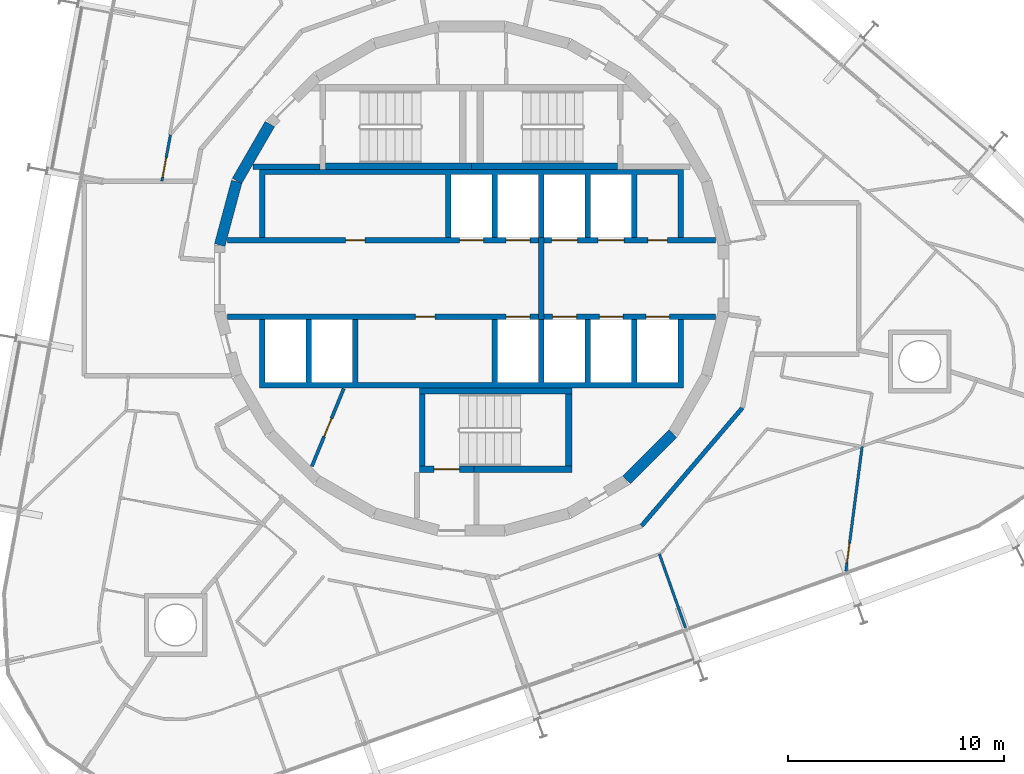
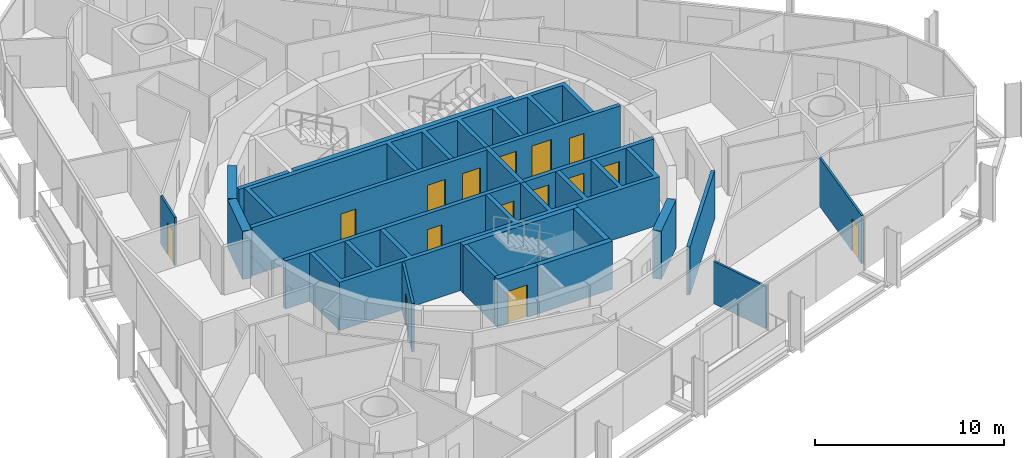
# One storey, part 12 of 17: 23 walls, 15 doors, 15 openings.
"""IFC4 building model written with IfcOpenShell, lengths in metres."""

from ifc_helpers import new_model, si_unit, direction, frame, frame_2d, origin, place, context, subcontext, project, spatial, polyline, rectangle, outline, extrude, material, layer, layer_set, type_object, element, fill, save


model = new_model("IFC4")

# Units and contexts
model_context = context("Model", 3, precision=1e-05, world=origin(), true_north=direction((0.0, 1.0)))
body_context = subcontext(model_context, "Body", "Model", "MODEL_VIEW")
ifc_project = project(units=[si_unit("LENGTHUNIT", "METRE"), si_unit("AREAUNIT", "SQUARE_METRE"), si_unit("VOLUMEUNIT", "CUBIC_METRE"), si_unit("PLANEANGLEUNIT", "RADIAN"), si_unit("MASSUNIT", "GRAM", prefix="KILO")], contexts=[model_context])

# Site, building, storey
site_placement = place(None, origin())
site = spatial("IfcSite", under=ifc_project, at=site_placement, CompositionType="ELEMENT")
building_placement = place(site_placement, origin())
building = spatial("IfcBuilding", under=site, at=building_placement, Name="Spindle Arch Residences", CompositionType="ELEMENT")
storey_placement = place(building_placement, frame((0.0, 0.0, 176.199951171875)))
storey = spatial("IfcBuildingStorey", under=building, at=storey_placement, Name="L44", CompositionType="ELEMENT", Elevation=176.199951171875)

# Walls
ifc_material_1 = material(Name="Concrete C50/60", Category="concrete")
ifc_layer_1 = layer(ifc_material_1, 0.5)
ifc_layer_set_1 = layer_set([ifc_layer_1], Name="Core outline wall 500")
wall_type_1 = type_object("IfcWallType", Name="Core outline wall 500", PredefinedType="SHEAR", material=ifc_layer_set_1)
wall_1_placement = place(storey_placement, frame((7.163818359375, -9.30810546875, 0.0), z_axis=(0.0, 0.0, 1.0), x_axis=(0.707106781187, 0.707106781187, 0.0)))
element("IfcWall", 1, at=wall_1_placement, inside=storey, type_object=wall_type_1, Name="Core outline wall 3", PredefinedType="SHEAR", context=body_context, shape_type="SweptSolid", body=[
    extrude(rectangle(XDim=3.032470703125, YDim=0.5, at=frame_2d((1.51611328125, 0.0))), origin(), (0.0, 0.0, 1.0), 3.1201171875),
])
for number, where, z_axis, x_axis, name in (
    (2, (-9.32861328125, 7.13671875, 0.0), (0.0, 0.0, 1.0), (-0.500087131594, -0.865975092491, 0.0), "Core outline wall 16"),
    (3, (-10.858154296875, 4.479248046875, 0.0), (0.0, 0.0, 1.0), (-0.258734743916, -0.965948410781, 0.0), "Core outline wall 17"),
):
    element("IfcWall", number, at=place(storey_placement, frame(where, z_axis=z_axis, x_axis=x_axis)), inside=storey, type_object=wall_type_1, Name=name, PredefinedType="SHEAR", context=body_context, shape_type="SweptSolid", body=[
        extrude(rectangle(XDim=3.03271484375, YDim=0.5, at=frame_2d((1.516357421875, 0.0))), origin(), (0.0, 0.0, 1.0), 3.1201171875),
    ])
ifc_material_2 = material(Name="Calcium silicate block, plastered")
ifc_layer_2 = layer(ifc_material_2, 0.199951171875)
ifc_layer_set_2 = layer_set([ifc_layer_2], Name="Corridor wall 200")
wall_type_2 = type_object("IfcWallType", Name="Corridor wall 200", PredefinedType="STANDARD", material=ifc_layer_set_2)
wall_2_placement = place(storey_placement, frame((7.857666015625, -11.432861328125, 0.0), z_axis=(0.0, 0.0, 1.0), x_axis=(0.649440801937, 0.760412154545, 0.0)))
element("IfcWall", 4, at=wall_2_placement, inside=storey, type_object=wall_type_2, Name="Corridor wall R4C1-W019", PredefinedType="STANDARD", context=body_context, shape_type="SweptSolid", body=[
    extrude(rectangle(XDim=7.180908203125, YDim=0.199951171875, at=frame_2d((3.59033203125, 0.0))), origin(), (0.0, 0.0, 1.0), 3.1201171875),
])

# Wall, openings, doors
ifc_material_3 = material(Name="Concrete C40/50", Category="concrete")
ifc_layer_3 = layer(ifc_material_3, 0.25)
ifc_layer_set_3 = layer_set([ifc_layer_3], Name="Fire-lift lobby wall 250")
wall_type_3 = type_object("IfcWallType", Name="Fire-lift lobby wall 250", PredefinedType="SHEAR", material=ifc_layer_set_3)
wall_3_placement = place(storey_placement, frame((3.35009765625, 1.77490234375, 0.0), z_axis=(0.0, 0.0, 1.0), x_axis=(1.0, 0.0, 0.0)))
wall_3 = element("IfcWall", 5, at=wall_3_placement, inside=storey, type_object=wall_type_3, Name="Lift shaft front wall NE", PredefinedType="SHEAR", context=body_context, shape_type="SweptSolid", body=[
    extrude(rectangle(XDim=7.929931640625, YDim=0.25, at=frame_2d((3.96484375, 0.0))), origin(), (0.0, 0.0, 1.0), 3.1201171875),
])
opening_1_placement = place(wall_3_placement, frame((0.35009765625, 0.0, 0.0)))
opening_1 = element("IfcOpeningElement", 6, at=opening_1_placement, cuts=wall_3, Name="Opening R4C1-SLD01", PredefinedType="OPENING", context=body_context, shape_type="SweptSolid", body=[
    extrude(rectangle(XDim=1.199951171875, YDim=2.39990234375, at=frame_2d((0.60009765625, 1.199951171875))), frame((0.0, 0.135009765625, 0.0), z_axis=(0.0, -1.0, 0.0), x_axis=(1.0, 0.0, 0.0)), (0.0, 0.0, 1.0), 0.27001953125),
])
opening_2_placement = place(wall_3_placement, frame((2.5, 0.0, 0.0)))
opening_2 = element("IfcOpeningElement", 7, at=opening_2_placement, cuts=wall_3, Name="Opening R4C1-SLD02", PredefinedType="OPENING", context=body_context, shape_type="SweptSolid", body=[
    extrude(rectangle(XDim=1.199951171875, YDim=2.39990234375, at=frame_2d((0.60009765625, 1.199951171875))), frame((0.0, 0.135009765625, 0.0), z_axis=(0.0, -1.0, 0.0), x_axis=(1.0, 0.0, 0.0)), (0.0, 0.0, 1.0), 0.27001953125),
])
opening_3_placement = place(wall_3_placement, frame((4.800048828125, 0.0, 0.0)))
opening_3 = element("IfcOpeningElement", 8, at=opening_3_placement, cuts=wall_3, Name="Opening R4C1-WD02", PredefinedType="OPENING", context=body_context, shape_type="SweptSolid", body=[
    extrude(rectangle(XDim=0.89990234375, YDim=2.10009765625, at=frame_2d((0.449951171875, 1.050048828125))), frame((0.0, 0.135009765625, 0.0), z_axis=(0.0, -1.0, 0.0), x_axis=(1.0, 0.0, 0.0)), (0.0, 0.0, 1.0), 0.27001953125),
])
ifc_material_4 = material(Name="Steel, fire-resisting landing door", Category="steel")
door_type_1 = type_object("IfcDoorType", Name="Service lift landing door 1200x2400", OperationType="DOUBLE_DOOR_SLIDING", PredefinedType="DOOR", material=ifc_material_4)
door_1_placement = place(opening_1_placement, origin())
door_1 = element("IfcDoor", 9, at=door_1_placement, inside=storey, type_object=door_type_1, Name="Service lift landing door R4C1-SLD01", OperationType="DOUBLE_DOOR_SLIDING", OverallHeight=2.39990234375, OverallWidth=1.199951171875, PredefinedType="DOOR", context=body_context, shape_type="SweptSolid", body=[
    extrude(rectangle(XDim=1.199951171875, YDim=2.39990234375, at=frame_2d((0.60009765625, 1.199951171875))), frame((0.0, 0.02490234375, 0.0), z_axis=(0.0, -1.0, 0.0), x_axis=(1.0, 0.0, 0.0)), (0.0, 0.0, 1.0), 0.050048828125),
])
fill(opening_1, door_1)
door_2_placement = place(opening_2_placement, origin())
door_2 = element("IfcDoor", 10, at=door_2_placement, inside=storey, type_object=door_type_1, Name="Service lift landing door R4C1-SLD02", OperationType="DOUBLE_DOOR_SLIDING", OverallHeight=2.39990234375, OverallWidth=1.199951171875, PredefinedType="DOOR", context=body_context, shape_type="SweptSolid", body=[
    extrude(rectangle(XDim=1.199951171875, YDim=2.39990234375, at=frame_2d((0.60009765625, 1.199951171875))), frame((0.0, 0.02490234375, 0.0), z_axis=(0.0, -1.0, 0.0), x_axis=(1.0, 0.0, 0.0)), (0.0, 0.0, 1.0), 0.050048828125),
])
fill(opening_2, door_2)
ifc_material_5 = material(Name="Steel, fire-resisting door", Category="steel")
door_type_2 = type_object("IfcDoorType", Name="Service room door 900x2100", OperationType="SINGLE_SWING_LEFT", PredefinedType="DOOR", material=ifc_material_5)
door_3_placement = place(opening_3_placement, origin())
door_3 = element("IfcDoor", 11, at=door_3_placement, inside=storey, type_object=door_type_2, Name="Service room door R4C1-WD02", OperationType="SINGLE_SWING_RIGHT", OverallHeight=2.10009765625, OverallWidth=0.89990234375, PredefinedType="DOOR", context=body_context, shape_type="SweptSolid", body=[
    extrude(rectangle(XDim=0.89990234375, YDim=2.10009765625, at=frame_2d((0.449951171875, 1.050048828125))), frame((0.0, 0.02490234375, 0.0), z_axis=(0.0, -1.0, 0.0), x_axis=(1.0, 0.0, 0.0)), (0.0, 0.0, 1.0), 0.050048828125),
])
fill(opening_3, door_3)

# Wall
wall_4_placement = place(storey_placement, frame((3.22509765625, -1.89990234375, 0.0), z_axis=(0.0, 0.0, 1.0), x_axis=(0.0, 1.0, 0.0)))
element("IfcWall", 12, at=wall_4_placement, inside=storey, type_object=wall_type_3, Name="Fire-fighting lobby partition", PredefinedType="SHEAR", context=body_context, shape_type="SweptSolid", body=[
    extrude(rectangle(XDim=3.7998046875, YDim=0.25, at=frame_2d((1.89990234375, 0.0))), origin(), (0.0, 0.0, 1.0), 3.1201171875),
])

# Wall, openings, doors
ifc_material_6 = material(Name="Concrete C50/60", Category="concrete")
ifc_layer_4 = layer(ifc_material_6, 0.25)
ifc_layer_set_4 = layer_set([ifc_layer_4], Name="Fire-lift shaft wall 250")
wall_type_4 = type_object("IfcWallType", Name="Fire-lift shaft wall 250", PredefinedType="SHEAR", material=ifc_layer_set_4)
wall_5_placement = place(storey_placement, frame((3.35009765625, -1.77490234375, 0.0), z_axis=(0.0, 0.0, 1.0), x_axis=(1.0, 0.0, 0.0)))
wall_5 = element("IfcWall", 13, at=wall_5_placement, inside=storey, type_object=wall_type_4, Name="Lift shaft front wall SE", PredefinedType="SHEAR", context=body_context, shape_type="SweptSolid", body=[
    extrude(rectangle(XDim=7.929931640625, YDim=0.25, at=frame_2d((3.96484375, 0.0))), origin(), (0.0, 0.0, 1.0), 3.1201171875),
])
opening_4_placement = place(wall_5_placement, frame((0.39990234375, 0.0, 0.0)))
opening_4 = element("IfcOpeningElement", 14, at=opening_4_placement, cuts=wall_5, Name="Opening R4C1-FLD01", PredefinedType="OPENING", context=body_context, shape_type="SweptSolid", body=[
    extrude(rectangle(XDim=1.10009765625, YDim=2.39990234375, at=frame_2d((0.550048828125, 1.199951171875))), frame((0.0, 0.135009765625, 0.0), z_axis=(0.0, -1.0, 0.0), x_axis=(1.0, 0.0, 0.0)), (0.0, 0.0, 1.0), 0.27001953125),
])
opening_5_placement = place(wall_5_placement, frame((2.550048828125, 0.0, 0.0)))
opening_5 = element("IfcOpeningElement", 15, at=opening_5_placement, cuts=wall_5, Name="Opening R4C1-FLD02", PredefinedType="OPENING", context=body_context, shape_type="SweptSolid", body=[
    extrude(rectangle(XDim=1.10009765625, YDim=2.39990234375, at=frame_2d((0.550048828125, 1.199951171875))), frame((0.0, 0.135009765625, 0.0), z_axis=(0.0, -1.0, 0.0), x_axis=(1.0, 0.0, 0.0)), (0.0, 0.0, 1.0), 0.27001953125),
])
opening_6_placement = place(wall_5_placement, frame((4.699951171875, 0.0, 0.0)))
opening_6 = element("IfcOpeningElement", 16, at=opening_6_placement, cuts=wall_5, Name="Opening R4C1-FLD03", PredefinedType="OPENING", context=body_context, shape_type="SweptSolid", body=[
    extrude(rectangle(XDim=1.10009765625, YDim=2.39990234375, at=frame_2d((0.550048828125, 1.199951171875))), frame((0.0, 0.135009765625, 0.0), z_axis=(0.0, -1.0, 0.0), x_axis=(1.0, 0.0, 0.0)), (0.0, 0.0, 1.0), 0.27001953125),
])
ifc_material_7 = material(Name="Steel, fire-resisting landing door", Category="steel")
door_type_3 = type_object("IfcDoorType", Name="Fire-fighting lift landing door 1100x2400", OperationType="DOUBLE_DOOR_SLIDING", PredefinedType="DOOR", material=ifc_material_7)
door_4_placement = place(opening_4_placement, origin())
door_4 = element("IfcDoor", 17, at=door_4_placement, inside=storey, type_object=door_type_3, Name="Fire-fighting lift landing door R4C1-FLD01", OperationType="DOUBLE_DOOR_SLIDING", OverallHeight=2.39990234375, OverallWidth=1.10009765625, PredefinedType="DOOR", context=body_context, shape_type="SweptSolid", body=[
    extrude(rectangle(XDim=1.10009765625, YDim=2.39990234375, at=frame_2d((0.550048828125, 1.199951171875))), frame((0.0, 0.02490234375, 0.0), z_axis=(0.0, -1.0, 0.0), x_axis=(1.0, 0.0, 0.0)), (0.0, 0.0, 1.0), 0.050048828125),
])
fill(opening_4, door_4)
door_5_placement = place(opening_5_placement, origin())
door_5 = element("IfcDoor", 18, at=door_5_placement, inside=storey, type_object=door_type_3, Name="Fire-fighting lift landing door R4C1-FLD02", OperationType="DOUBLE_DOOR_SLIDING", OverallHeight=2.39990234375, OverallWidth=1.10009765625, PredefinedType="DOOR", context=body_context, shape_type="SweptSolid", body=[
    extrude(rectangle(XDim=1.10009765625, YDim=2.39990234375, at=frame_2d((0.550048828125, 1.199951171875))), frame((0.0, 0.02490234375, 0.0), z_axis=(0.0, -1.0, 0.0), x_axis=(1.0, 0.0, 0.0)), (0.0, 0.0, 1.0), 0.050048828125),
])
fill(opening_5, door_5)
door_6_placement = place(opening_6_placement, origin())
door_6 = element("IfcDoor", 19, at=door_6_placement, inside=storey, type_object=door_type_3, Name="Fire-fighting lift landing door R4C1-FLD03", OperationType="DOUBLE_DOOR_SLIDING", OverallHeight=2.39990234375, OverallWidth=1.10009765625, PredefinedType="DOOR", context=body_context, shape_type="SweptSolid", body=[
    extrude(rectangle(XDim=1.10009765625, YDim=2.39990234375, at=frame_2d((0.550048828125, 1.199951171875))), frame((0.0, 0.02490234375, 0.0), z_axis=(0.0, -1.0, 0.0), x_axis=(1.0, 0.0, 0.0)), (0.0, 0.0, 1.0), 0.050048828125),
])
fill(opening_6, door_6)

# Wall, opening, door
ifc_material_8 = material(Name="Plasterboard on steel studs", Category="steel")
ifc_layer_5 = layer(ifc_material_8, 0.1201171875)
ifc_layer_set_5 = layer_set([ifc_layer_5], Name="Flat partition 120")
wall_type_5 = type_object("IfcWallType", Name="Flat partition 120", PredefinedType="PARTITIONING", material=ifc_layer_set_5)
wall_6_placement = place(storey_placement, frame((-13.9228515625, 6.640869140625, 0.0), z_axis=(0.0, 0.0, 1.0), x_axis=(-0.182209715759, -0.983259690765, 0.0)))
wall_6 = element("IfcWall", 20, at=wall_6_placement, inside=storey, type_object=wall_type_5, Name="Flat partition R4C1-W071", PredefinedType="PARTITIONING", context=body_context, shape_type="SweptSolid", body=[
    extrude(rectangle(XDim=2.17724609375, YDim=0.1201171875, at=frame_2d((1.088623046875, 0.0))), origin(), (0.0, 0.0, 1.0), 3.1201171875),
])
opening_7_placement = place(wall_6_placement, frame((1.08349609375, 0.0, 0.0)))
opening_7 = element("IfcOpeningElement", 21, at=opening_7_placement, cuts=wall_6, Name="Opening R4C1-ID12", PredefinedType="OPENING", context=body_context, shape_type="SweptSolid", body=[
    extrude(rectangle(XDim=0.89990234375, YDim=2.10009765625, at=frame_2d((0.449951171875, 1.050048828125))), frame((0.0, 0.070068359375, 0.0), z_axis=(0.0, -1.0, 0.0), x_axis=(1.0, 0.0, 0.0)), (0.0, 0.0, 1.0), 0.14013671875),
])
ifc_material_9 = material(Name="Timber door set", Category="wood")
door_type_4 = type_object("IfcDoorType", Name="Room door 900x2100", OperationType="NOTDEFINED", PredefinedType="DOOR", material=ifc_material_9)
door_7_placement = place(opening_7_placement, origin())
door_7 = element("IfcDoor", 22, at=door_7_placement, inside=storey, type_object=door_type_4, Name="Room door R4C1-ID12", OperationType="SINGLE_SWING_LEFT", OverallHeight=2.10009765625, OverallWidth=0.89990234375, PredefinedType="DOOR", context=body_context, shape_type="SweptSolid", body=[
    extrude(rectangle(XDim=0.89990234375, YDim=2.10009765625, at=frame_2d((0.449951171875, 1.050048828125))), frame((0.0, 0.02490234375, 0.0), z_axis=(0.0, -1.0, 0.0), x_axis=(1.0, 0.0, 0.0)), (0.0, 0.0, 1.0), 0.050048828125),
])
fill(opening_7, door_7)

wall_7_placement = place(storey_placement, frame((17.30029296875, -13.5341796875, 0.0), z_axis=(0.0, 0.0, 1.0), x_axis=(0.129290698847, 0.99160673414, 0.0)))
wall_7 = element("IfcWall", 23, at=wall_7_placement, inside=storey, type_object=wall_type_5, Name="Flat partition R4C1-W117", PredefinedType="PARTITIONING", context=body_context, shape_type="SweptSolid", body=[
    extrude(rectangle(XDim=5.812255859375, YDim=0.1201171875, at=frame_2d((2.90625, 0.0))), origin(), (0.0, 0.0, 1.0), 3.1201171875),
])
opening_8_placement = place(wall_7_placement, frame((0.39990234375, 0.0, 0.0)))
opening_8 = element("IfcOpeningElement", 24, at=opening_8_placement, cuts=wall_7, Name="Opening R4C1-ID30", PredefinedType="OPENING", context=body_context, shape_type="SweptSolid", body=[
    extrude(rectangle(XDim=0.89990234375, YDim=2.10009765625, at=frame_2d((0.449951171875, 1.050048828125))), frame((0.0, 0.070068359375, 0.0), z_axis=(0.0, -1.0, 0.0), x_axis=(1.0, 0.0, 0.0)), (0.0, 0.0, 1.0), 0.14013671875),
])
door_8_placement = place(opening_8_placement, origin())
door_8 = element("IfcDoor", 25, at=door_8_placement, inside=storey, type_object=door_type_4, Name="Room door R4C1-ID30", OperationType="SINGLE_SWING_RIGHT", OverallHeight=2.10009765625, OverallWidth=0.89990234375, PredefinedType="DOOR", context=body_context, shape_type="SweptSolid", body=[
    extrude(rectangle(XDim=0.89990234375, YDim=2.10009765625, at=frame_2d((0.449951171875, 1.050048828125))), frame((0.0, 0.02490234375, 0.0), z_axis=(0.0, -1.0, 0.0), x_axis=(1.0, 0.0, 0.0)), (0.0, 0.0, 1.0), 0.050048828125),
])
fill(opening_8, door_8)

# Wall
ifc_material_10 = material(Name="Plasterboard on steel studs", Category="steel")
ifc_layer_6 = layer(ifc_material_10, 0.1201171875)
ifc_layer_set_6 = layer_set([ifc_layer_6], Name="Flat partition 120 under beam 2730")
wall_type_6 = type_object("IfcWallType", Name="Flat partition 120 under beam 2730", PredefinedType="PARTITIONING", material=ifc_layer_set_6)
wall_8_placement = place(storey_placement, frame((9.89111328125, -16.157958984375, 0.0), z_axis=(0.0, 0.0, 1.0), x_axis=(-0.33385336213, 0.942625022262, 0.0)))
element("IfcWall", 26, at=wall_8_placement, inside=storey, type_object=wall_type_6, Name="Flat partition R4C1-W115", PredefinedType="PARTITIONING", context=body_context, shape_type="SweptSolid", body=[
    extrude(rectangle(XDim=3.633056640625, YDim=0.1201171875, at=frame_2d((1.81640625, 0.0))), origin(), (0.0, 0.0, 1.0), 2.72998046875),
])

# Wall, openings, doors
ifc_material_11 = material(Name="Concrete C50/60", Category="concrete")
ifc_layer_7 = layer(ifc_material_11, 0.25)
ifc_layer_set_7 = layer_set([ifc_layer_7], Name="Lift shaft wall 250")
wall_type_7 = type_object("IfcWallType", Name="Lift shaft wall 250", PredefinedType="SHEAR", material=ifc_layer_set_7)
wall_9_placement = place(storey_placement, frame((-11.280029296875, 1.77490234375, 0.0), z_axis=(0.0, 0.0, 1.0), x_axis=(1.0, 0.0, 0.0)))
wall_9 = element("IfcWall", 27, at=wall_9_placement, inside=storey, type_object=wall_type_7, Name="Lift shaft front wall NW", PredefinedType="SHEAR", context=body_context, shape_type="SweptSolid", body=[
    extrude(rectangle(XDim=14.380126953125, YDim=0.25, at=frame_2d((7.18994140625, 0.0))), origin(), (0.0, 0.0, 1.0), 3.1201171875),
])
opening_9_placement = place(wall_9_placement, frame((10.72998046875, 0.0, 0.0)))
opening_9 = element("IfcOpeningElement", 28, at=opening_9_placement, cuts=wall_9, Name="Opening R4C1-LD01", PredefinedType="OPENING", context=body_context, shape_type="SweptSolid", body=[
    extrude(rectangle(XDim=1.10009765625, YDim=2.10009765625, at=frame_2d((0.550048828125, 1.050048828125))), frame((0.0, 0.135009765625, 0.0), z_axis=(0.0, -1.0, 0.0), x_axis=(1.0, 0.0, 0.0)), (0.0, 0.0, 1.0), 0.27001953125),
])
opening_10_placement = place(wall_9_placement, frame((12.8798828125, 0.0, 0.0)))
opening_10 = element("IfcOpeningElement", 29, at=opening_10_placement, cuts=wall_9, Name="Opening R4C1-LD02", PredefinedType="OPENING", context=body_context, shape_type="SweptSolid", body=[
    extrude(rectangle(XDim=1.10009765625, YDim=2.10009765625, at=frame_2d((0.550048828125, 1.050048828125))), frame((0.0, 0.135009765625, 0.0), z_axis=(0.0, -1.0, 0.0), x_axis=(1.0, 0.0, 0.0)), (0.0, 0.0, 1.0), 0.27001953125),
])
opening_11_placement = place(wall_9_placement, frame((5.455078125, 0.0, 0.0)))
opening_11 = element("IfcOpeningElement", 30, at=opening_11_placement, cuts=wall_9, Name="Opening R4C1-WD01", PredefinedType="OPENING", context=body_context, shape_type="SweptSolid", body=[
    extrude(rectangle(XDim=0.89990234375, YDim=2.10009765625, at=frame_2d((0.449951171875, 1.050048828125))), frame((0.0, 0.135009765625, 0.0), z_axis=(0.0, -1.0, 0.0), x_axis=(1.0, 0.0, 0.0)), (0.0, 0.0, 1.0), 0.27001953125),
])
ifc_material_12 = material(Name="Steel, fire-resisting landing door", Category="steel")
door_type_5 = type_object("IfcDoorType", Name="Lift landing door 1100x2100", OperationType="DOUBLE_DOOR_SLIDING", PredefinedType="DOOR", material=ifc_material_12)
door_9_placement = place(opening_9_placement, origin())
door_9 = element("IfcDoor", 31, at=door_9_placement, inside=storey, type_object=door_type_5, Name="Lift landing door R4C1-LD01", OperationType="DOUBLE_DOOR_SLIDING", OverallHeight=2.10009765625, OverallWidth=1.10009765625, PredefinedType="DOOR", context=body_context, shape_type="SweptSolid", body=[
    extrude(rectangle(XDim=1.10009765625, YDim=2.10009765625, at=frame_2d((0.550048828125, 1.050048828125))), frame((0.0, 0.02490234375, 0.0), z_axis=(0.0, -1.0, 0.0), x_axis=(1.0, 0.0, 0.0)), (0.0, 0.0, 1.0), 0.050048828125),
])
fill(opening_9, door_9)
door_10_placement = place(opening_10_placement, origin())
door_10 = element("IfcDoor", 32, at=door_10_placement, inside=storey, type_object=door_type_5, Name="Lift landing door R4C1-LD02", OperationType="DOUBLE_DOOR_SLIDING", OverallHeight=2.10009765625, OverallWidth=1.10009765625, PredefinedType="DOOR", context=body_context, shape_type="SweptSolid", body=[
    extrude(rectangle(XDim=1.10009765625, YDim=2.10009765625, at=frame_2d((0.550048828125, 1.050048828125))), frame((0.0, 0.02490234375, 0.0), z_axis=(0.0, -1.0, 0.0), x_axis=(1.0, 0.0, 0.0)), (0.0, 0.0, 1.0), 0.050048828125),
])
fill(opening_10, door_10)
door_11_placement = place(opening_11_placement, origin())
door_11 = element("IfcDoor", 33, at=door_11_placement, inside=storey, type_object=door_type_2, Name="Service room door R4C1-WD01", OperationType="SINGLE_SWING_LEFT", OverallHeight=2.10009765625, OverallWidth=0.89990234375, PredefinedType="DOOR", context=body_context, shape_type="SweptSolid", body=[
    extrude(rectangle(XDim=0.89990234375, YDim=2.10009765625, at=frame_2d((0.449951171875, 1.050048828125))), frame((0.0, 0.02490234375, 0.0), z_axis=(0.0, -1.0, 0.0), x_axis=(1.0, 0.0, 0.0)), (0.0, 0.0, 1.0), 0.050048828125),
])
fill(opening_11, door_11)

wall_10_placement = place(storey_placement, frame((-11.280029296875, -1.77490234375, 0.0), z_axis=(0.0, 0.0, 1.0), x_axis=(1.0, 0.0, 0.0)))
wall_10 = element("IfcWall", 34, at=wall_10_placement, inside=storey, type_object=wall_type_7, Name="Lift shaft front wall SW", PredefinedType="SHEAR", context=body_context, shape_type="SweptSolid", body=[
    extrude(rectangle(XDim=14.380126953125, YDim=0.25, at=frame_2d((7.18994140625, 0.0))), origin(), (0.0, 0.0, 1.0), 3.1201171875),
])
opening_12_placement = place(wall_10_placement, frame((12.8798828125, 0.0, 0.0)))
opening_12 = element("IfcOpeningElement", 35, at=opening_12_placement, cuts=wall_10, Name="Opening R4C1-LD03", PredefinedType="OPENING", context=body_context, shape_type="SweptSolid", body=[
    extrude(rectangle(XDim=1.10009765625, YDim=2.10009765625, at=frame_2d((0.550048828125, 1.050048828125))), frame((0.0, 0.135009765625, 0.0), z_axis=(0.0, -1.0, 0.0), x_axis=(1.0, 0.0, 0.0)), (0.0, 0.0, 1.0), 0.27001953125),
])
opening_13_placement = place(wall_10_placement, frame((8.679931640625, 0.0, 0.0)))
opening_13 = element("IfcOpeningElement", 36, at=opening_13_placement, cuts=wall_10, Name="Opening R4C1-WD03", PredefinedType="OPENING", context=body_context, shape_type="SweptSolid", body=[
    extrude(rectangle(XDim=0.89990234375, YDim=2.10009765625, at=frame_2d((0.449951171875, 1.050048828125))), frame((0.0, 0.135009765625, 0.0), z_axis=(0.0, -1.0, 0.0), x_axis=(1.0, 0.0, 0.0)), (0.0, 0.0, 1.0), 0.27001953125),
])
door_12_placement = place(opening_12_placement, origin())
door_12 = element("IfcDoor", 37, at=door_12_placement, inside=storey, type_object=door_type_5, Name="Lift landing door R4C1-LD03", OperationType="DOUBLE_DOOR_SLIDING", OverallHeight=2.10009765625, OverallWidth=1.10009765625, PredefinedType="DOOR", context=body_context, shape_type="SweptSolid", body=[
    extrude(rectangle(XDim=1.10009765625, YDim=2.10009765625, at=frame_2d((0.550048828125, 1.050048828125))), frame((0.0, 0.02490234375, 0.0), z_axis=(0.0, -1.0, 0.0), x_axis=(1.0, 0.0, 0.0)), (0.0, 0.0, 1.0), 0.050048828125),
])
fill(opening_12, door_12)
door_13_placement = place(opening_13_placement, origin())
door_13 = element("IfcDoor", 38, at=door_13_placement, inside=storey, type_object=door_type_2, Name="Service room door R4C1-WD03", OperationType="SINGLE_SWING_LEFT", OverallHeight=2.10009765625, OverallWidth=0.89990234375, PredefinedType="DOOR", context=body_context, shape_type="SweptSolid", body=[
    extrude(rectangle(XDim=0.89990234375, YDim=2.10009765625, at=frame_2d((0.449951171875, 1.050048828125))), frame((0.0, 0.02490234375, 0.0), z_axis=(0.0, -1.0, 0.0), x_axis=(1.0, 0.0, 0.0)), (0.0, 0.0, 1.0), 0.050048828125),
])
fill(opening_13, door_13)

# Walls
ifc_material_13 = material(Name="Concrete C50/60", Category="concrete")
wall_type_8 = type_object("IfcWallType", Name="Lift shaft wall profile", PredefinedType="SHEAR", material=ifc_material_13)
wall_11_placement = place(storey_placement, origin())
element("IfcWall", 39, at=wall_11_placement, inside=storey, type_object=wall_type_8, Name="Lift shaft walls N", PredefinedType="SHEAR", context=body_context, shape_type="SweptSolid", body=[
    extrude(outline(polyline([(-9.550048828125, 4.800048828125), (-1.199951171875, 4.800048828125), (-1.199951171875, 1.89990234375), (-0.949951171875, 1.89990234375), (-0.949951171875, 4.800048828125), (0.949951171875, 4.800048828125), (0.949951171875, 1.89990234375), (1.199951171875, 1.89990234375), (1.199951171875, 4.800048828125), (3.10009765625, 4.800048828125), (3.10009765625, 1.89990234375), (3.35009765625, 1.89990234375), (3.35009765625, 4.800048828125), (5.25, 4.800048828125), (5.25, 1.89990234375), (5.5, 1.89990234375), (5.5, 4.800048828125), (7.39990234375, 4.800048828125), (7.39990234375, 1.89990234375), (7.64990234375, 1.89990234375), (7.64990234375, 4.800048828125), (9.550048828125, 4.800048828125), (9.550048828125, 1.89990234375), (9.800048828125, 1.89990234375), (9.800048828125, 4.800048828125), (9.800048828125, 5.050048828125), (-9.800048828125, 5.050048828125), (-9.800048828125, 4.800048828125), (-9.800048828125, 1.89990234375), (-9.550048828125, 1.89990234375), (-9.550048828125, 4.800048828125)])), origin(), (0.0, 0.0, 1.0), 3.1201171875),
])
wall_12_placement = place(storey_placement, origin())
element("IfcWall", 40, at=wall_12_placement, inside=storey, type_object=wall_type_8, Name="Lift shaft walls S", PredefinedType="SHEAR", context=body_context, shape_type="SweptSolid", body=[
    extrude(outline(polyline([(9.800048828125, -5.050048828125), (9.800048828125, -4.800048828125), (9.800048828125, -1.89990234375), (9.550048828125, -1.89990234375), (9.550048828125, -4.800048828125), (7.64990234375, -4.800048828125), (7.64990234375, -1.89990234375), (7.39990234375, -1.89990234375), (7.39990234375, -4.800048828125), (5.5, -4.800048828125), (5.5, -1.89990234375), (5.25, -1.89990234375), (5.25, -4.800048828125), (3.35009765625, -4.800048828125), (3.35009765625, -1.89990234375), (3.10009765625, -1.89990234375), (3.10009765625, -4.800048828125), (1.199951171875, -4.800048828125), (1.199951171875, -1.89990234375), (0.949951171875, -1.89990234375), (0.949951171875, -4.800048828125), (-5.25, -4.800048828125), (-5.25, -1.89990234375), (-5.5, -1.89990234375), (-5.5, -4.800048828125), (-7.39990234375, -4.800048828125), (-7.39990234375, -1.89990234375), (-7.64990234375, -1.89990234375), (-7.64990234375, -4.800048828125), (-9.550048828125, -4.800048828125), (-9.550048828125, -1.89990234375), (-9.800048828125, -1.89990234375), (-9.800048828125, -4.800048828125), (-9.800048828125, -5.050048828125), (9.800048828125, -5.050048828125)])), origin(), (0.0, 0.0, 1.0), 3.1201171875),
])

# Wall, opening, door
ifc_material_14 = material(Name="Concrete C25/30", Category="concrete")
ifc_layer_8 = layer(ifc_material_14, 0.14990234375)
ifc_layer_set_8 = layer_set([ifc_layer_8], Name="Service room partition 150")
wall_type_9 = type_object("IfcWallType", Name="Service room partition 150", PredefinedType="PARTITIONING", material=ifc_layer_set_8)
wall_13_placement = place(storey_placement, frame((-7.385009765625, -8.680908203125, 0.0), z_axis=(0.0, 0.0, 1.0), x_axis=(0.379804590409, 0.925066739811, 0.0)))
wall_13 = element("IfcWall", 41, at=wall_13_placement, inside=storey, type_object=wall_type_9, Name="Core service room partition", PredefinedType="PARTITIONING", context=body_context, shape_type="SweptSolid", body=[
    extrude(rectangle(XDim=3.885009765625, YDim=0.14990234375, at=frame_2d((1.9423828125, 0.0))), origin(), (0.0, 0.0, 1.0), 3.1201171875),
])
opening_14_placement = place(wall_13_placement, frame((1.49267578125, 0.0, 0.0)))
opening_14 = element("IfcOpeningElement", 42, at=opening_14_placement, cuts=wall_13, Name="Opening R4C1-WD04", PredefinedType="OPENING", context=body_context, shape_type="SweptSolid", body=[
    extrude(rectangle(XDim=0.89990234375, YDim=2.10009765625, at=frame_2d((0.449951171875, 1.050048828125))), frame((0.0, 0.0849609375, 0.0), z_axis=(0.0, -1.0, 0.0), x_axis=(1.0, 0.0, 0.0)), (0.0, 0.0, 1.0), 0.169921875),
])
door_14_placement = place(opening_14_placement, origin())
door_14 = element("IfcDoor", 43, at=door_14_placement, inside=storey, type_object=door_type_2, Name="Service room door R4C1-WD04", OperationType="SINGLE_SWING_RIGHT", OverallHeight=2.10009765625, OverallWidth=0.89990234375, PredefinedType="DOOR", context=body_context, shape_type="SweptSolid", body=[
    extrude(rectangle(XDim=0.89990234375, YDim=2.10009765625, at=frame_2d((0.449951171875, 1.050048828125))), frame((0.0, 0.02490234375, 0.0), z_axis=(0.0, -1.0, 0.0), x_axis=(1.0, 0.0, 0.0)), (0.0, 0.0, 1.0), 0.050048828125),
])
fill(opening_14, door_14)

# Walls
ifc_material_15 = material(Name="Concrete C40/50", Category="concrete")
ifc_layer_9 = layer(ifc_material_15, 0.25)
ifc_layer_set_9 = layer_set([ifc_layer_9], Name="Stair airlock wall 250")
wall_type_10 = type_object("IfcWallType", Name="Stair airlock wall 250", PredefinedType="SHEAR", material=ifc_layer_set_9)
wall_14_placement = place(storey_placement, frame((-7.0, 5.175048828125, 0.0), z_axis=(0.0, 0.0, 1.0), x_axis=(-1.0, 0.0, 0.0)))
element("IfcWall", 44, at=wall_14_placement, inside=storey, type_object=wall_type_10, Name="Stair ST-2 airlock wall S", PredefinedType="SHEAR", context=body_context, shape_type="SweptSolid", body=[
    extrude(rectangle(XDim=3.10009765625, YDim=0.25, at=frame_2d((1.550048828125, 0.0))), origin(), (0.0, 0.0, 1.0), 3.1201171875),
])
ifc_material_16 = material(Name="Concrete C50/60", Category="concrete")
ifc_layer_10 = layer(ifc_material_16, 0.25)
ifc_layer_set_10 = layer_set([ifc_layer_10], Name="Stair enclosure wall 250")
wall_type_11 = type_object("IfcWallType", Name="Stair enclosure wall 250", PredefinedType="SHEAR", material=ifc_layer_set_10)
wall_15_placement = place(storey_placement, frame((-2.27490234375, -8.669921875, 0.0), z_axis=(0.0, 0.0, 1.0), x_axis=(0.0, 1.0, 0.0)))
element("IfcWall", 45, at=wall_15_placement, inside=storey, type_object=wall_type_11, Name="Stair ST-3 enclosure wall W", PredefinedType="SHEAR", context=body_context, shape_type="SweptSolid", body=[
    extrude(rectangle(XDim=3.31982421875, YDim=0.25, at=frame_2d((1.659912109375, 0.0))), origin(), (0.0, 0.0, 1.0), 3.1201171875),
])
ifc_material_17 = material(Name="Concrete C50/60", Category="concrete")
ifc_layer_11 = layer(ifc_material_17, 0.300048828125)
ifc_layer_set_11 = layer_set([ifc_layer_11], Name="Stair enclosure wall 300")
wall_type_12 = type_object("IfcWallType", Name="Stair enclosure wall 300", PredefinedType="SHEAR", material=ifc_layer_set_11)
for number, where, z_axis, x_axis, name in (
    (46, (0.0, 5.199951171875, 0.0), (0.0, 0.0, 1.0), (1.0, 0.0, 0.0), "Stair ST-1 enclosure wall S"),
    (47, (-6.75, 5.199951171875, 0.0), (0.0, 0.0, 1.0), (1.0, 0.0, 0.0), "Stair ST-2 enclosure wall S"),
):
    element("IfcWall", number, at=place(storey_placement, frame(where, z_axis=z_axis, x_axis=x_axis)), inside=storey, type_object=wall_type_12, Name=name, PredefinedType="SHEAR", context=body_context, shape_type="SweptSolid", body=[
        extrude(rectangle(XDim=6.75, YDim=0.300048828125, at=frame_2d((3.375, 0.0))), origin(), (0.0, 0.0, 1.0), 3.1201171875),
    ])
wall_16_placement = place(storey_placement, frame((-2.39990234375, -5.199951171875, 0.0), z_axis=(0.0, 0.0, 1.0), x_axis=(1.0, 0.0, 0.0)))
element("IfcWall", 48, at=wall_16_placement, inside=storey, type_object=wall_type_12, Name="Stair ST-3 enclosure wall N", PredefinedType="SHEAR", context=body_context, shape_type="SweptSolid", body=[
    extrude(rectangle(XDim=7.0498046875, YDim=0.300048828125, at=frame_2d((3.52490234375, 0.0))), origin(), (0.0, 0.0, 1.0), 3.1201171875),
])
wall_17_placement = place(storey_placement, frame((4.5, -8.669921875, 0.0), z_axis=(0.0, 0.0, 1.0), x_axis=(0.0, 1.0, 0.0)))
element("IfcWall", 49, at=wall_17_placement, inside=storey, type_object=wall_type_12, Name="Stair ST-3 enclosure wall E", PredefinedType="SHEAR", context=body_context, shape_type="SweptSolid", body=[
    extrude(rectangle(XDim=3.31982421875, YDim=0.300048828125, at=frame_2d((1.659912109375, 0.0))), origin(), (0.0, 0.0, 1.0), 3.1201171875),
])
wall_18_placement = place(storey_placement, frame((0.10009765625, -8.820068359375, 0.0), z_axis=(0.0, 0.0, 1.0), x_axis=(1.0, 0.0, 0.0)))
element("IfcWall", 50, at=wall_18_placement, inside=storey, type_object=wall_type_12, Name="Stair ST-3 enclosure wall S", PredefinedType="SHEAR", context=body_context, shape_type="SweptSolid", body=[
    extrude(rectangle(XDim=4.5498046875, YDim=0.300048828125, at=frame_2d((2.27490234375, 0.0))), origin(), (0.0, 0.0, 1.0), 3.1201171875),
])

# Wall, opening, door
wall_19_placement = place(storey_placement, frame((-2.39990234375, -8.820068359375, 0.0), z_axis=(0.0, 0.0, 1.0), x_axis=(1.0, 0.0, 0.0)))
wall_19 = element("IfcWall", 51, at=wall_19_placement, inside=storey, type_object=wall_type_12, Name="Stair ST-3 door wall", PredefinedType="SHEAR", context=body_context, shape_type="SweptSolid", body=[
    extrude(rectangle(XDim=2.5, YDim=0.300048828125, at=frame_2d((1.25, 0.0))), origin(), (0.0, 0.0, 1.0), 3.1201171875),
])
opening_15_placement = place(wall_19_placement, frame((0.64990234375, 0.0, 0.0)))
opening_15 = element("IfcOpeningElement", 52, at=opening_15_placement, cuts=wall_19, Name="Opening R4C1-SD03", PredefinedType="OPENING", context=body_context, shape_type="SweptSolid", body=[
    extrude(rectangle(XDim=1.199951171875, YDim=2.10009765625, at=frame_2d((0.60009765625, 1.050048828125))), frame((0.0, 0.16015625, 0.0), z_axis=(0.0, -1.0, 0.0), x_axis=(1.0, 0.0, 0.0)), (0.0, 0.0, 1.0), 0.320068359375),
])
ifc_material_18 = material(Name="Steel, fire-resisting door", Category="steel")
door_type_6 = type_object("IfcDoorType", Name="Stair door 1200x2100", OperationType="SINGLE_SWING_RIGHT", PredefinedType="DOOR", material=ifc_material_18)
door_15_placement = place(opening_15_placement, origin())
door_15 = element("IfcDoor", 53, at=door_15_placement, inside=storey, type_object=door_type_6, Name="Stair door R4C1-SD03", OperationType="SINGLE_SWING_LEFT", OverallHeight=2.10009765625, OverallWidth=1.199951171875, PredefinedType="DOOR", context=body_context, shape_type="SweptSolid", body=[
    extrude(rectangle(XDim=1.199951171875, YDim=2.10009765625, at=frame_2d((0.60009765625, 1.050048828125))), frame((0.0, 0.02490234375, 0.0), z_axis=(0.0, -1.0, 0.0), x_axis=(1.0, 0.0, 0.0)), (0.0, 0.0, 1.0), 0.050048828125),
])
fill(opening_15, door_15)

save(model, "model.ifc")
